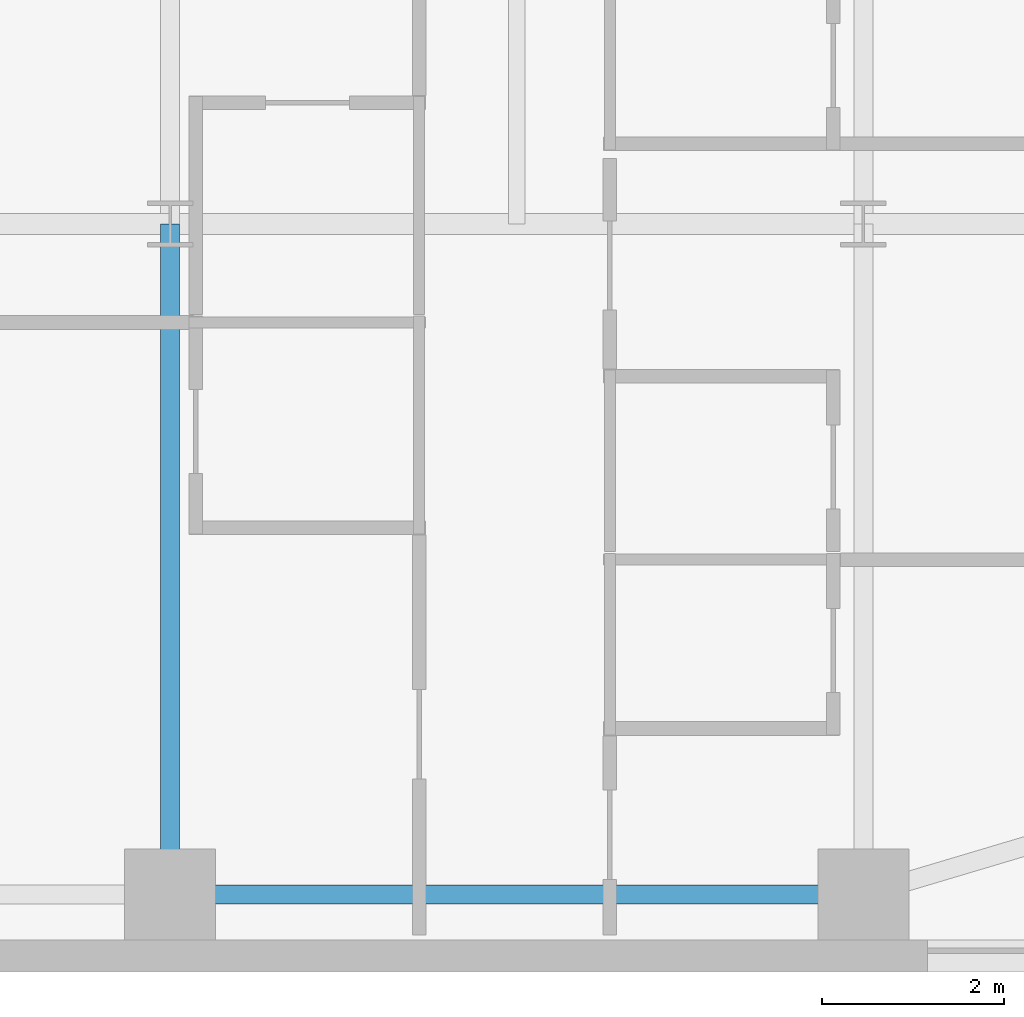
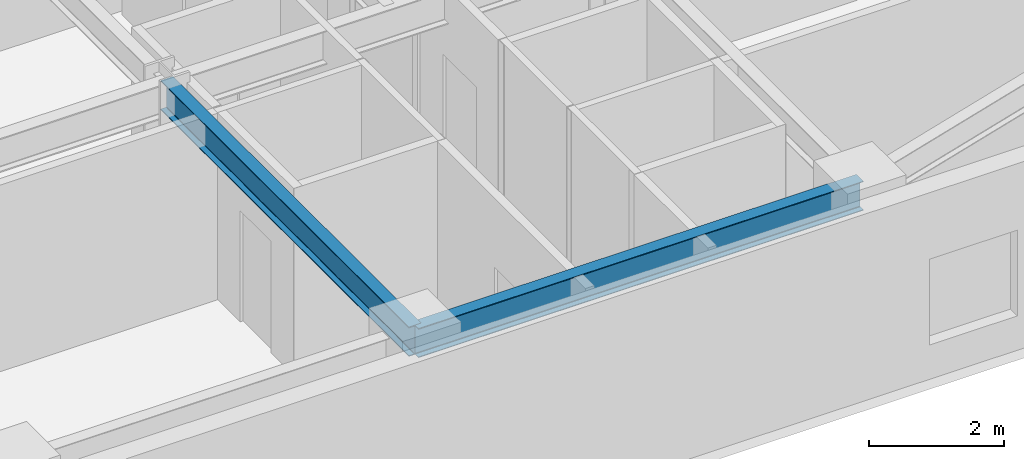
# One storey, part 6 of 17: 2 beams.
"""IFC4 building model written with IfcOpenShell, lengths in metres."""

from ifc_helpers import new_model, si_unit, direction, frame, origin, origin_2d, place, context, subcontext, project, spatial, i_section, extrude, source, transform, mapped, material, material_profile, profile_set, type_object, type_shapes, element, save


model = new_model("IFC4")

# Units and contexts
model_context = context("Model", 3, precision=1e-05, world=origin(), true_north=direction((0.0, 1.0)))
body_context = subcontext(model_context, "Body", "Model", "MODEL_VIEW")
ifc_project = project(units=[si_unit("LENGTHUNIT", "METRE"), si_unit("AREAUNIT", "SQUARE_METRE"), si_unit("VOLUMEUNIT", "CUBIC_METRE"), si_unit("PLANEANGLEUNIT", "RADIAN"), si_unit("MASSUNIT", "GRAM", prefix="KILO")], contexts=[model_context])

# Site, building, storey
site_placement = place(None, origin())
site = spatial("IfcSite", under=ifc_project, at=site_placement, CompositionType="ELEMENT")
building_placement = place(site_placement, origin())
building = spatial("IfcBuilding", under=site, at=building_placement, Name="Tolvann Quenvar Hotel", CompositionType="ELEMENT")
storey_placement = place(building_placement, frame((0.0, 0.0, 35.550048828125)))
storey = spatial("IfcBuildingStorey", under=building, at=storey_placement, Name="L07", CompositionType="ELEMENT", Elevation=35.550048828125)

# Beams
ifc_material = material(Name="Steel Grade 350", Category="steel")
ifc_material_profile_1 = material_profile(ifc_material, i_section(OverallWidth=0.208984375, OverallDepth=0.528076171875, WebThickness=0.009521484375, FlangeThickness=0.01318359375, FilletRadius=0.013916015625, at=origin_2d()), Name="530UB82")
ifc_profile_set_1 = profile_set([ifc_material_profile_1], Name="Steel Grade 350")
beam_type_1 = type_object("IfcBeamType", Name="BM_SPAND_530UB82", PredefinedType="SPANDREL", material=ifc_profile_set_1)
shared_shape_1 = source(origin(), body_context, "Body", "SweptSolid", [
    extrude(i_section(OverallWidth=0.208984375, OverallDepth=0.528076171875, WebThickness=0.009521484375, FlangeThickness=0.01318359375, FilletRadius=0.013916015625, at=origin_2d()), origin(), (0.0, 0.0, 1.0), 7.599853515625),
])
type_shapes(beam_type_1, [shared_shape_1])
beam_1_placement = place(storey_placement, frame((41.800048828125, 0.85009765625, 3.10595703125), z_axis=(1.0, 0.0, 0.0), x_axis=(0.0, 1.0, 0.0)))
element("IfcBeam", 1, at=beam_1_placement, inside=storey, type_object=beam_type_1, Name="BM-L07-EW-2-H2-I2", PredefinedType="SPANDREL", context=body_context, shape_type="MappedRepresentation", body=[
    mapped(shared_shape_1, transform((0.0, 0.0, 0.0), x_axis=(1.0, 0.0, 0.0), y_axis=(0.0, 1.0, 0.0), z_axis=(0.0, 0.0, 1.0), scale=1.0)),
])
ifc_material_profile_2 = material_profile(ifc_material, i_section(OverallWidth=0.208984375, OverallDepth=0.532958984375, WebThickness=0.01025390625, FlangeThickness=0.015625, FilletRadius=0.013916015625, at=origin_2d()), Name="530UB92")
ifc_profile_set_2 = profile_set([ifc_material_profile_2], Name="Steel Grade 350")
beam_type_2 = type_object("IfcBeamType", Name="BM_GIRD_530UB92", PredefinedType="BEAM", material=ifc_profile_set_2)
shared_shape_2 = source(origin(), body_context, "Body", "SweptSolid", [
    extrude(i_section(OverallWidth=0.208984375, OverallDepth=0.532958984375, WebThickness=0.01025390625, FlangeThickness=0.015625, FilletRadius=0.013916015625, at=origin_2d()), origin(), (0.0, 0.0, 1.0), 7.349853515625),
])
type_shapes(beam_type_2, [shared_shape_2])
beam_2_placement = place(storey_placement, frame((41.800048828125, 0.85009765625, 3.103515625), z_axis=(0.0, 1.0, 0.0), x_axis=(-1.0, 0.0, 0.0)))
element("IfcBeam", 2, at=beam_2_placement, inside=storey, type_object=beam_type_2, Name="BM-L07-NS-H2-H3", PredefinedType="BEAM", context=body_context, shape_type="MappedRepresentation", body=[
    mapped(shared_shape_2, transform((0.0, 0.0, 0.0), x_axis=(1.0, 0.0, 0.0), y_axis=(0.0, 1.0, 0.0), z_axis=(0.0, 0.0, 1.0), scale=1.0)),
])

save(model, "model.ifc")
